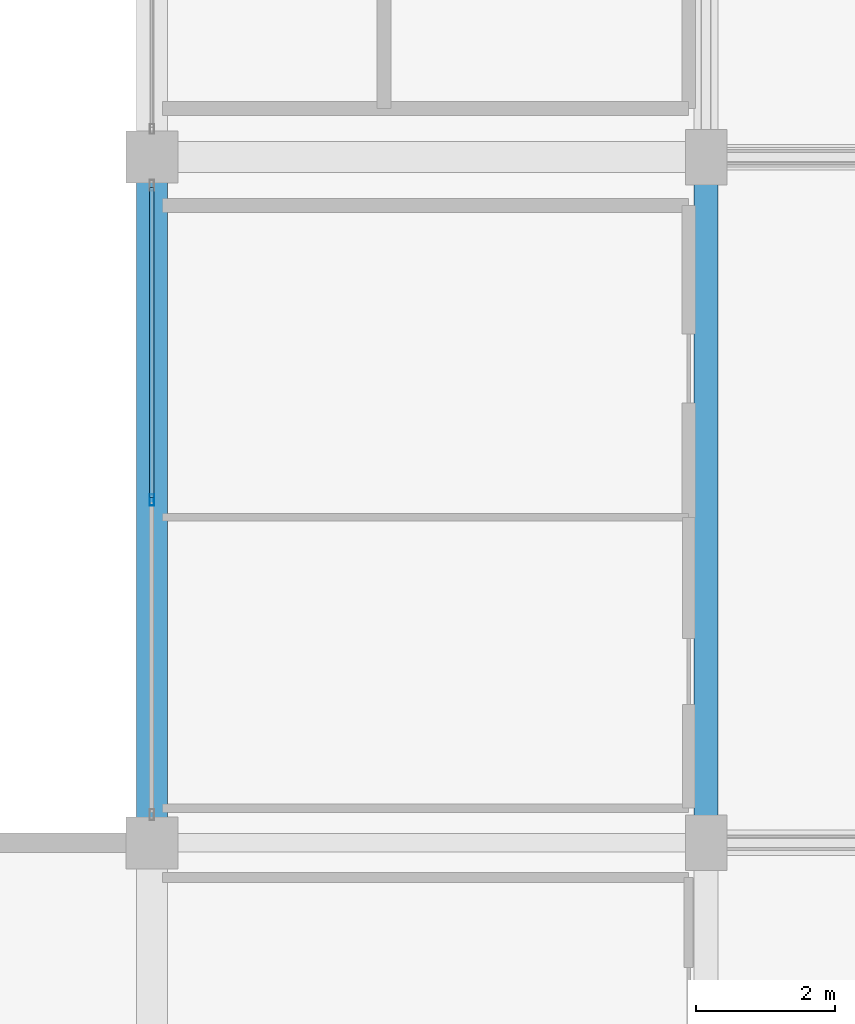
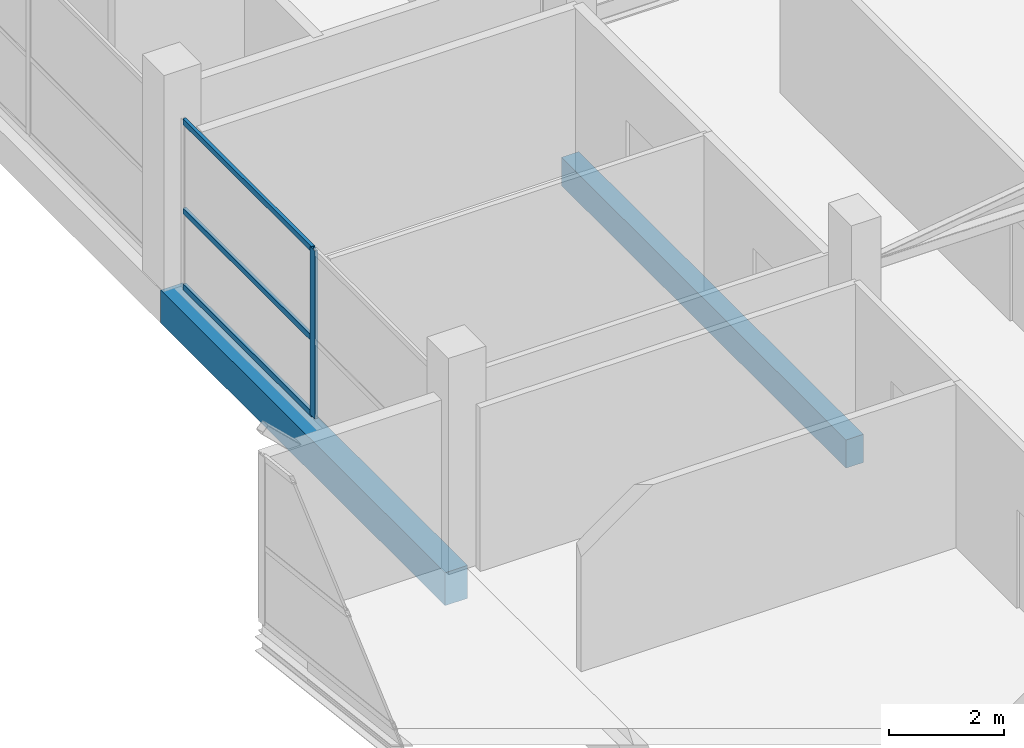
# One storey, part 15 of 49: 4 members, 2 beams, 1 element without a shape of its own.
"""IFC4 building model written with IfcOpenShell, lengths in metres."""

from ifc_helpers import new_model, si_unit, direction, frame, origin, origin_2d, place, context, subcontext, project, spatial, rectangle, hollow_rectangle, extrude, material, layer, layer_set, material_profile, profile_set, type_object, element, aggregate, save


model = new_model("IFC4")

# Units and contexts
model_context = context("Model", 3, precision=1e-05, world=origin(), true_north=direction((0.0, 1.0)))
body_context = subcontext(model_context, "Body", "Model", "MODEL_VIEW")
ifc_project = project(units=[si_unit("LENGTHUNIT", "METRE"), si_unit("AREAUNIT", "SQUARE_METRE"), si_unit("VOLUMEUNIT", "CUBIC_METRE"), si_unit("PLANEANGLEUNIT", "RADIAN"), si_unit("MASSUNIT", "GRAM", prefix="KILO")], contexts=[model_context])

# Site, building, storey
site_placement = place(None, origin())
site = spatial("IfcSite", under=ifc_project, at=site_placement, CompositionType="ELEMENT")
building_placement = place(site_placement, origin())
building = spatial("IfcBuilding", under=site, at=building_placement, Name="Sillaruma Civic Art Gallery", CompositionType="ELEMENT")
storey_placement = place(building_placement, frame((0.0, 0.0, 33.14990234375)))
storey = spatial("IfcBuildingStorey", under=building, at=storey_placement, Name="L06", CompositionType="ELEMENT", Elevation=33.14990234375)

# Beams
ifc_material_1 = material(Name="Concrete H35 (35 MPa)", Category="concrete")
ifc_material_profile_1 = material_profile(ifc_material_1, rectangle(XDim=0.35009765625, YDim=0.60009765625, at=origin_2d()), Name="RCB350x600")
ifc_profile_set_1 = profile_set([ifc_material_profile_1], Name="Concrete H35 (35 MPa)")
beam_type_1 = type_object("IfcBeamType", Name="BM-BEAM-RCB350x600", PredefinedType="BEAM", material=ifc_profile_set_1)
beam_1_placement = place(storey_placement, frame((70.0, 59.39990234375, -0.539794921875), z_axis=(0.0, 1.0, 0.0), x_axis=(-1.0, 0.0, 0.0)))
element("IfcBeam", 1, at=beam_1_placement, inside=storey, type_object=beam_type_1, Name="Beam BM-06 (L05:G:7-8)", PredefinedType="BEAM", context=body_context, shape_type="SweptSolid", body=[
    extrude(rectangle(XDim=0.35009765625, YDim=0.60009765625, at=origin_2d()), origin(), (0.0, 0.0, 1.0), 9.900146484375),
])
ifc_material_profile_2 = material_profile(ifc_material_1, rectangle(XDim=0.449951171875, YDim=0.699951171875, at=origin_2d()), Name="RCB450x700")
ifc_profile_set_2 = profile_set([ifc_material_profile_2], Name="Concrete H35 (35 MPa)")
beam_type_2 = type_object("IfcBeamType", Name="BM-SPANDREL-RCB450x700", PredefinedType="SPANDREL", material=ifc_profile_set_2)
beam_2_placement = place(storey_placement, frame((62.0, 59.39990234375, -0.58984375), z_axis=(0.0, 1.0, 0.0), x_axis=(-1.0, 0.0, 0.0)))
element("IfcBeam", 2, at=beam_2_placement, inside=storey, type_object=beam_type_2, Name="Beam BS-03 (L05:F:7-8)", PredefinedType="SPANDREL", context=body_context, shape_type="SweptSolid", body=[
    extrude(rectangle(XDim=0.449951171875, YDim=0.699951171875, at=origin_2d()), origin(), (0.0, 0.0, 1.0), 9.900146484375),
])

# Curtain wall, members
ifc_material_2 = material(Name="Thermally Broken Extruded Aluminium 6063-T6", Category="aluminium")
ifc_layer = layer(ifc_material_2, 0.159912109375, Name="Thermally Broken Extruded Aluminium 6063-T6")
ifc_layer_set = layer_set([ifc_layer], Name="Thermally Broken Extruded Aluminium 6063-T6")
curtain_wall_type = type_object("IfcCurtainWallType", Name="CW-UNI-39", PredefinedType="NOTDEFINED", material=ifc_layer_set)
curtain_wall_placement = place(storey_placement, origin())
curtain_wall = element("IfcCurtainWall", 3, at=curtain_wall_placement, inside=storey, type_object=curtain_wall_type, Name="Unitised Curtain Wall CW-39 (CW-L06-W-5)", PredefinedType="NOTDEFINED")
ifc_material_profile_3 = material_profile(ifc_material_2, hollow_rectangle(XDim=0.06494140625, YDim=0.159912109375, WallThickness=0.00390625, at=origin_2d()), Name="CWM65x160")
ifc_profile_set_3 = profile_set([ifc_material_profile_3], Name="Thermally Broken Extruded Aluminium 6063-T6")
member_type_1 = type_object("IfcMemberType", Name="MEM-MUL-CWM65x160", PredefinedType="MULLION", material=ifc_profile_set_3)
member_1_placement = place(storey_placement, frame((62.0, 64.35009765625, 0.0), z_axis=(0.0, 0.0, 1.0), x_axis=(-1.0, 0.0, 0.0)))
member_1 = element("IfcMember", 4, at=member_1_placement, type_object=member_type_1, Name="CW-39 mullion 2", PredefinedType="MULLION", context=body_context, shape_type="SweptSolid", body=[
    extrude(hollow_rectangle(XDim=0.06494140625, YDim=0.159912109375, WallThickness=0.00390625, at=origin_2d()), origin(), (0.0, 0.0, 1.0), 3.570068359375),
])
ifc_material_profile_4 = material_profile(ifc_material_2, hollow_rectangle(XDim=0.06494140625, YDim=0.1201171875, WallThickness=0.00341796875, at=origin_2d()), Name="CWT65x120")
ifc_profile_set_4 = profile_set([ifc_material_profile_4], Name="Thermally Broken Extruded Aluminium 6063-T6")
member_type_2 = type_object("IfcMemberType", Name="MEM-TRN-CWT65x120", PredefinedType="USERDEFINED", material=ifc_profile_set_4)
member_2_placement = place(storey_placement, frame((62.0, 64.382568359375, 0.03271484375), z_axis=(0.0, 1.0, 0.0), x_axis=(-1.0, 0.0, 0.0)))
member_2 = element("IfcMember", 5, at=member_2_placement, type_object=member_type_2, Name="CW-39 transom 2.1", ObjectType="TRANSOM", PredefinedType="USERDEFINED", context=body_context, shape_type="SweptSolid", body=[
    extrude(hollow_rectangle(XDim=0.06494140625, YDim=0.1201171875, WallThickness=0.00341796875, at=origin_2d()), origin(), (0.0, 0.0, 1.0), 4.4775390625),
])
member_3_placement = place(storey_placement, frame((62.0, 64.382568359375, 1.642333984375), z_axis=(0.0, 1.0, 0.0), x_axis=(-1.0, 0.0, 0.0)))
member_3 = element("IfcMember", 6, at=member_3_placement, type_object=member_type_2, Name="CW-39 transom 2.2", ObjectType="TRANSOM", PredefinedType="USERDEFINED", context=body_context, shape_type="SweptSolid", body=[
    extrude(hollow_rectangle(XDim=0.06494140625, YDim=0.1201171875, WallThickness=0.00341796875, at=origin_2d()), origin(), (0.0, 0.0, 1.0), 4.4775390625),
])
member_4_placement = place(storey_placement, frame((62.0, 64.382568359375, 3.53759765625), z_axis=(0.0, 1.0, 0.0), x_axis=(-1.0, 0.0, 0.0)))
member_4 = element("IfcMember", 7, at=member_4_placement, type_object=member_type_2, Name="CW-39 transom 2.3", ObjectType="TRANSOM", PredefinedType="USERDEFINED", context=body_context, shape_type="SweptSolid", body=[
    extrude(hollow_rectangle(XDim=0.06494140625, YDim=0.1201171875, WallThickness=0.00341796875, at=origin_2d()), origin(), (0.0, 0.0, 1.0), 4.4775390625),
])
aggregate(curtain_wall, [member_1, member_2, member_3, member_4])

save(model, "model.ifc")
